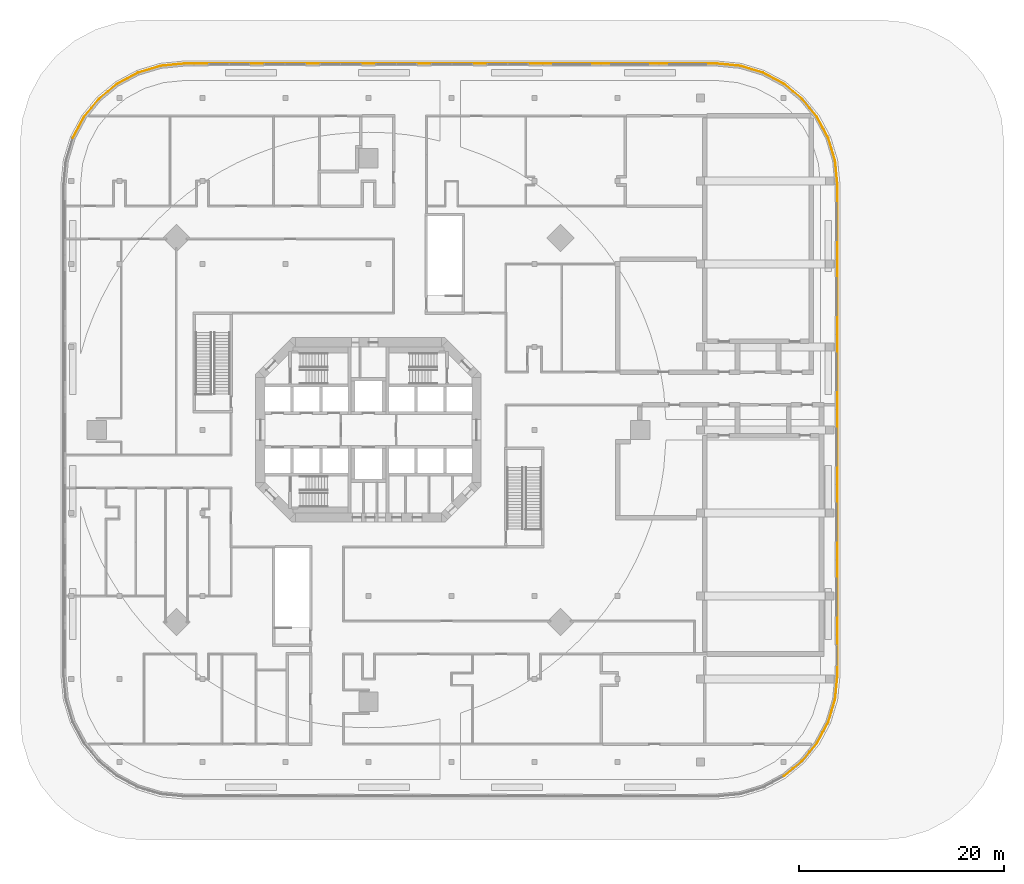
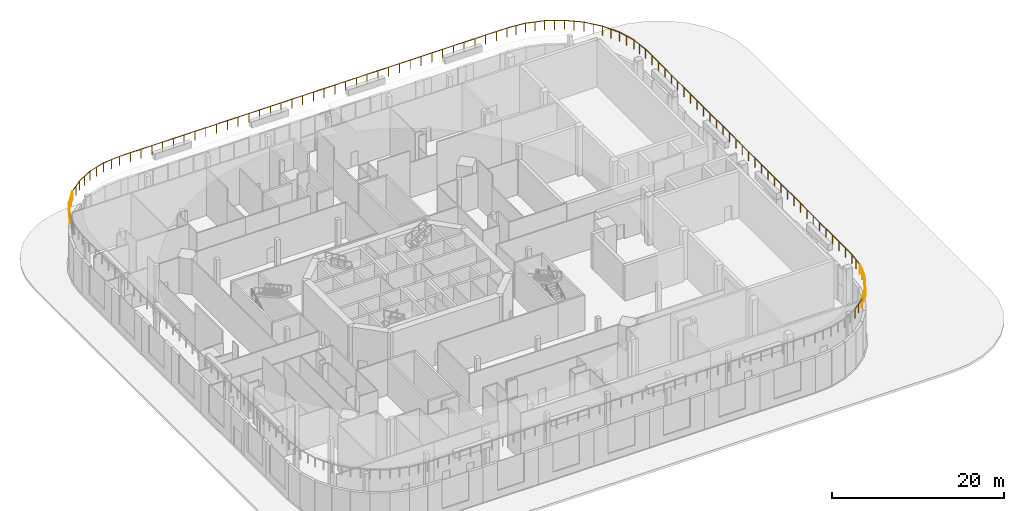
# One storey, part 17 of 17: 36 railings.
"""IFC4 building model written with IfcOpenShell, lengths in metres."""

from ifc_helpers import new_model, si_unit, direction, frame, origin, origin_2d, place, context, subcontext, project, spatial, rectangle, extrude, material, type_object, element, save


model = new_model("IFC4")

# Units and contexts
model_context = context("Model", 3, precision=1e-05, world=origin(), true_north=direction((0.0, 1.0)))
body_context = subcontext(model_context, "Body", "Model", "MODEL_VIEW")
ifc_project = project(units=[si_unit("LENGTHUNIT", "METRE"), si_unit("AREAUNIT", "SQUARE_METRE"), si_unit("VOLUMEUNIT", "CUBIC_METRE"), si_unit("PLANEANGLEUNIT", "RADIAN"), si_unit("MASSUNIT", "GRAM", prefix="KILO")], contexts=[model_context])

# Site, building, storey
site_placement = place(None, origin())
site = spatial("IfcSite", under=ifc_project, at=site_placement, CompositionType="ELEMENT")
building_placement = place(site_placement, origin())
building = spatial("IfcBuilding", under=site, at=building_placement, Name="Torre Triforio", CompositionType="ELEMENT")
storey_placement = place(building_placement, frame((0.0, 0.0, 13.0)))
storey = spatial("IfcBuildingStorey", under=building, at=storey_placement, Name="L02", CompositionType="ELEMENT", Elevation=13.0)

# Railings
ifc_material = material(Name="Stainless steel AISI 316", Category="steel")
railing_type = type_object("IfcRailingType", Name="Terrace balustrade 1300", PredefinedType="BALUSTRADE", material=ifc_material)
railing_1_placement = place(storey_placement, frame((40.52734375, -33.768798828125, 7.0)))
element("IfcRailing", 1, at=railing_1_placement, inside=storey, type_object=railing_type, Name="Terrace T3 balustrade 04", PredefinedType="BALUSTRADE", context=body_context, shape_type="SweptSolid", body=[
    extrude(rectangle(XDim=0.050048828125, YDim=0.050048828125, at=origin_2d()), frame((0.0, 0.0, 1.27490234375), z_axis=(0.772978729137, 0.634431938273, 0.0), x_axis=(-0.634431938273, 0.772978729137, 0.0)), (0.0, 0.0, 1.0), 2.30322265625),
    extrude(rectangle(XDim=0.0400390625, YDim=0.0400390625, at=origin_2d()), origin(), (0.0, 0.0, 1.0), 1.25),
    extrude(rectangle(XDim=0.0400390625, YDim=0.0400390625, at=origin_2d()), frame((0.89013671875, 0.73046875, 0.0)), (0.0, 0.0, 1.0), 1.25),
    extrude(rectangle(XDim=0.0400390625, YDim=0.0400390625, at=origin_2d()), frame((1.7802734375, 1.461181640625, 0.0)), (0.0, 0.0, 1.0), 1.25),
])
railing_2_placement = place(storey_placement, frame((42.3076171875, -32.3076171875, 7.0)))
element("IfcRailing", 2, at=railing_2_placement, inside=storey, type_object=railing_type, Name="Terrace T3 balustrade 05", PredefinedType="BALUSTRADE", context=body_context, shape_type="SweptSolid", body=[
    extrude(rectangle(XDim=0.050048828125, YDim=0.050048828125, at=origin_2d()), frame((0.0, 0.0, 1.27490234375), z_axis=(0.634431938273, 0.772978729137, 0.0), x_axis=(-0.772978729137, 0.634431938273, 0.0)), (0.0, 0.0, 1.0), 2.30322265625),
    extrude(rectangle(XDim=0.0400390625, YDim=0.0400390625, at=origin_2d()), origin(), (0.0, 0.0, 1.0), 1.25),
    extrude(rectangle(XDim=0.0400390625, YDim=0.0400390625, at=origin_2d()), frame((0.73046875, 0.89013671875, 0.0)), (0.0, 0.0, 1.0), 1.25),
    extrude(rectangle(XDim=0.0400390625, YDim=0.0400390625, at=origin_2d()), frame((1.461181640625, 1.7802734375, 0.0)), (0.0, 0.0, 1.0), 1.25),
])
railing_3_placement = place(storey_placement, frame((43.768798828125, -30.52734375, 7.0)))
element("IfcRailing", 3, at=railing_3_placement, inside=storey, type_object=railing_type, Name="Terrace T3 balustrade 06", PredefinedType="BALUSTRADE", context=body_context, shape_type="SweptSolid", body=[
    extrude(rectangle(XDim=0.050048828125, YDim=0.050048828125, at=origin_2d()), frame((0.0, 0.0, 1.27490234375), z_axis=(0.471385800251, 0.881927109982, 0.0), x_axis=(-0.881927109982, 0.471385800251, 0.0)), (0.0, 0.0, 1.0), 2.30322265625),
    extrude(rectangle(XDim=0.0400390625, YDim=0.0400390625, at=origin_2d()), origin(), (0.0, 0.0, 1.0), 1.25),
    extrude(rectangle(XDim=0.0400390625, YDim=0.0400390625, at=origin_2d()), frame((0.54296875, 1.015625, 0.0)), (0.0, 0.0, 1.0), 1.25),
    extrude(rectangle(XDim=0.0400390625, YDim=0.0400390625, at=origin_2d()), frame((1.085693359375, 2.03125, 0.0)), (0.0, 0.0, 1.0), 1.25),
])
railing_4_placement = place(storey_placement, frame((44.8544921875, -28.49609375, 7.0)))
element("IfcRailing", 4, at=railing_4_placement, inside=storey, type_object=railing_type, Name="Terrace T3 balustrade 07", PredefinedType="BALUSTRADE", context=body_context, shape_type="SweptSolid", body=[
    extrude(rectangle(XDim=0.050048828125, YDim=0.050048828125, at=origin_2d()), frame((0.0, 0.0, 1.27490234375), z_axis=(0.290225091232, 0.956958408929, 0.0), x_axis=(-0.956958408929, 0.290225091232, 0.0)), (0.0, 0.0, 1.0), 2.30322265625),
    extrude(rectangle(XDim=0.0400390625, YDim=0.0400390625, at=origin_2d()), origin(), (0.0, 0.0, 1.0), 1.25),
    extrude(rectangle(XDim=0.0400390625, YDim=0.0400390625, at=origin_2d()), frame((0.334228515625, 1.10205078125, 0.0)), (0.0, 0.0, 1.0), 1.25),
    extrude(rectangle(XDim=0.0400390625, YDim=0.0400390625, at=origin_2d()), frame((0.66845703125, 2.2041015625, 0.0)), (0.0, 0.0, 1.0), 1.25),
])
railing_5_placement = place(storey_placement, frame((45.52294921875, -26.2919921875, 7.0)))
element("IfcRailing", 5, at=railing_5_placement, inside=storey, type_object=railing_type, Name="Terrace T3 balustrade 08", PredefinedType="BALUSTRADE", context=body_context, shape_type="SweptSolid", body=[
    extrude(rectangle(XDim=0.050048828125, YDim=0.050048828125, at=origin_2d()), frame((0.0, 0.0, 1.27490234375), z_axis=(0.098062895086, 0.99518021916, 0.0), x_axis=(-0.99518021916, 0.098062895086, 0.0)), (0.0, 0.0, 1.0), 2.3154296875),
    extrude(rectangle(XDim=0.0400390625, YDim=0.0400390625, at=origin_2d()), origin(), (0.0, 0.0, 1.0), 1.25),
    extrude(rectangle(XDim=0.0400390625, YDim=0.0400390625, at=origin_2d()), frame((0.113525390625, 1.152099609375, 0.0)), (0.0, 0.0, 1.0), 1.25),
    extrude(rectangle(XDim=0.0400390625, YDim=0.0400390625, at=origin_2d()), frame((0.22705078125, 2.30419921875, 0.0)), (0.0, 0.0, 1.0), 1.25),
])
railing_6_placement = place(storey_placement, frame((45.75, -23.98779296875, 7.0)))
element("IfcRailing", 6, at=railing_6_placement, inside=storey, type_object=railing_type, Name="Terrace T3 balustrade 09.1", PredefinedType="BALUSTRADE", context=body_context, shape_type="SweptSolid", body=[
    extrude(rectangle(XDim=0.050048828125, YDim=0.050048828125, at=origin_2d()), frame((0.0, 0.0, 1.27490234375), z_axis=(0.0, 1.0, 0.0), x_axis=(-1.0, 0.0, 0.0)), (0.0, 0.0, 1.0), 5.9970703125),
    extrude(rectangle(XDim=0.0400390625, YDim=0.0400390625, at=origin_2d()), origin(), (0.0, 0.0, 1.0), 1.25),
    extrude(rectangle(XDim=0.0400390625, YDim=0.0400390625, at=origin_2d()), frame((0.0, 1.499267578125, 0.0)), (0.0, 0.0, 1.0), 1.25),
    extrude(rectangle(XDim=0.0400390625, YDim=0.0400390625, at=origin_2d()), frame((0.0, 2.99853515625, 0.0)), (0.0, 0.0, 1.0), 1.25),
    extrude(rectangle(XDim=0.0400390625, YDim=0.0400390625, at=origin_2d()), frame((0.0, 4.497802734375, 0.0)), (0.0, 0.0, 1.0), 1.25),
    extrude(rectangle(XDim=0.0400390625, YDim=0.0400390625, at=origin_2d()), frame((0.0, 5.9970703125, 0.0)), (0.0, 0.0, 1.0), 1.25),
])
railing_7_placement = place(storey_placement, frame((45.75, -17.99072265625, 7.0)))
element("IfcRailing", 7, at=railing_7_placement, inside=storey, type_object=railing_type, Name="Terrace T3 balustrade 09.2", PredefinedType="BALUSTRADE", context=body_context, shape_type="SweptSolid", body=[
    extrude(rectangle(XDim=0.050048828125, YDim=0.050048828125, at=origin_2d()), frame((0.0, 0.0, 1.27490234375), z_axis=(0.0, 1.0, 0.0), x_axis=(-1.0, 0.0, 0.0)), (0.0, 0.0, 1.0), 5.996826171875),
    extrude(rectangle(XDim=0.0400390625, YDim=0.0400390625, at=origin_2d()), origin(), (0.0, 0.0, 1.0), 1.25),
    extrude(rectangle(XDim=0.0400390625, YDim=0.0400390625, at=origin_2d()), frame((0.0, 1.499267578125, 0.0)), (0.0, 0.0, 1.0), 1.25),
    extrude(rectangle(XDim=0.0400390625, YDim=0.0400390625, at=origin_2d()), frame((0.0, 2.99853515625, 0.0)), (0.0, 0.0, 1.0), 1.25),
    extrude(rectangle(XDim=0.0400390625, YDim=0.0400390625, at=origin_2d()), frame((0.0, 4.49755859375, 0.0)), (0.0, 0.0, 1.0), 1.25),
    extrude(rectangle(XDim=0.0400390625, YDim=0.0400390625, at=origin_2d()), frame((0.0, 5.996826171875, 0.0)), (0.0, 0.0, 1.0), 1.25),
])
railing_8_placement = place(storey_placement, frame((45.75, -11.993896484375, 7.0)))
element("IfcRailing", 8, at=railing_8_placement, inside=storey, type_object=railing_type, Name="Terrace T3 balustrade 09.3", PredefinedType="BALUSTRADE", context=body_context, shape_type="SweptSolid", body=[
    extrude(rectangle(XDim=0.050048828125, YDim=0.050048828125, at=origin_2d()), frame((0.0, 0.0, 1.27490234375), z_axis=(0.0, 1.0, 0.0), x_axis=(-1.0, 0.0, 0.0)), (0.0, 0.0, 1.0), 5.9970703125),
    extrude(rectangle(XDim=0.0400390625, YDim=0.0400390625, at=origin_2d()), origin(), (0.0, 0.0, 1.0), 1.25),
    extrude(rectangle(XDim=0.0400390625, YDim=0.0400390625, at=origin_2d()), frame((0.0, 1.499267578125, 0.0)), (0.0, 0.0, 1.0), 1.25),
    extrude(rectangle(XDim=0.0400390625, YDim=0.0400390625, at=origin_2d()), frame((0.0, 2.99853515625, 0.0)), (0.0, 0.0, 1.0), 1.25),
    extrude(rectangle(XDim=0.0400390625, YDim=0.0400390625, at=origin_2d()), frame((0.0, 4.497802734375, 0.0)), (0.0, 0.0, 1.0), 1.25),
    extrude(rectangle(XDim=0.0400390625, YDim=0.0400390625, at=origin_2d()), frame((0.0, 5.9970703125, 0.0)), (0.0, 0.0, 1.0), 1.25),
])
for number, where, name in (
    (9, (45.75, -5.996826171875, 7.0), "Terrace T3 balustrade 09.4"),
    (10, (45.75, 0.0, 7.0), "Terrace T3 balustrade 09.5"),
):
    element("IfcRailing", number, at=place(storey_placement, frame(where)), inside=storey, type_object=railing_type, Name=name, PredefinedType="BALUSTRADE", context=body_context, shape_type="SweptSolid", body=[
        extrude(rectangle(XDim=0.050048828125, YDim=0.050048828125, at=origin_2d()), frame((0.0, 0.0, 1.27490234375), z_axis=(0.0, 1.0, 0.0), x_axis=(-1.0, 0.0, 0.0)), (0.0, 0.0, 1.0), 5.996826171875),
        extrude(rectangle(XDim=0.0400390625, YDim=0.0400390625, at=origin_2d()), origin(), (0.0, 0.0, 1.0), 1.25),
        extrude(rectangle(XDim=0.0400390625, YDim=0.0400390625, at=origin_2d()), frame((0.0, 1.499267578125, 0.0)), (0.0, 0.0, 1.0), 1.25),
        extrude(rectangle(XDim=0.0400390625, YDim=0.0400390625, at=origin_2d()), frame((0.0, 2.99853515625, 0.0)), (0.0, 0.0, 1.0), 1.25),
        extrude(rectangle(XDim=0.0400390625, YDim=0.0400390625, at=origin_2d()), frame((0.0, 4.49755859375, 0.0)), (0.0, 0.0, 1.0), 1.25),
        extrude(rectangle(XDim=0.0400390625, YDim=0.0400390625, at=origin_2d()), frame((0.0, 5.996826171875, 0.0)), (0.0, 0.0, 1.0), 1.25),
    ])
railing_9_placement = place(storey_placement, frame((45.75, 5.996826171875, 7.0)))
element("IfcRailing", 11, at=railing_9_placement, inside=storey, type_object=railing_type, Name="Terrace T3 balustrade 09.6", PredefinedType="BALUSTRADE", context=body_context, shape_type="SweptSolid", body=[
    extrude(rectangle(XDim=0.050048828125, YDim=0.050048828125, at=origin_2d()), frame((0.0, 0.0, 1.27490234375), z_axis=(0.0, 1.0, 0.0), x_axis=(-1.0, 0.0, 0.0)), (0.0, 0.0, 1.0), 5.9970703125),
    extrude(rectangle(XDim=0.0400390625, YDim=0.0400390625, at=origin_2d()), origin(), (0.0, 0.0, 1.0), 1.25),
    extrude(rectangle(XDim=0.0400390625, YDim=0.0400390625, at=origin_2d()), frame((0.0, 1.499267578125, 0.0)), (0.0, 0.0, 1.0), 1.25),
    extrude(rectangle(XDim=0.0400390625, YDim=0.0400390625, at=origin_2d()), frame((0.0, 2.99853515625, 0.0)), (0.0, 0.0, 1.0), 1.25),
    extrude(rectangle(XDim=0.0400390625, YDim=0.0400390625, at=origin_2d()), frame((0.0, 4.497802734375, 0.0)), (0.0, 0.0, 1.0), 1.25),
    extrude(rectangle(XDim=0.0400390625, YDim=0.0400390625, at=origin_2d()), frame((0.0, 5.9970703125, 0.0)), (0.0, 0.0, 1.0), 1.25),
])
railing_10_placement = place(storey_placement, frame((45.75, 11.993896484375, 7.0)))
element("IfcRailing", 12, at=railing_10_placement, inside=storey, type_object=railing_type, Name="Terrace T3 balustrade 09.7", PredefinedType="BALUSTRADE", context=body_context, shape_type="SweptSolid", body=[
    extrude(rectangle(XDim=0.050048828125, YDim=0.050048828125, at=origin_2d()), frame((0.0, 0.0, 1.27490234375), z_axis=(0.0, 1.0, 0.0), x_axis=(-1.0, 0.0, 0.0)), (0.0, 0.0, 1.0), 5.996826171875),
    extrude(rectangle(XDim=0.0400390625, YDim=0.0400390625, at=origin_2d()), origin(), (0.0, 0.0, 1.0), 1.25),
    extrude(rectangle(XDim=0.0400390625, YDim=0.0400390625, at=origin_2d()), frame((0.0, 1.499267578125, 0.0)), (0.0, 0.0, 1.0), 1.25),
    extrude(rectangle(XDim=0.0400390625, YDim=0.0400390625, at=origin_2d()), frame((0.0, 2.99853515625, 0.0)), (0.0, 0.0, 1.0), 1.25),
    extrude(rectangle(XDim=0.0400390625, YDim=0.0400390625, at=origin_2d()), frame((0.0, 4.49755859375, 0.0)), (0.0, 0.0, 1.0), 1.25),
    extrude(rectangle(XDim=0.0400390625, YDim=0.0400390625, at=origin_2d()), frame((0.0, 5.996826171875, 0.0)), (0.0, 0.0, 1.0), 1.25),
])
railing_11_placement = place(storey_placement, frame((45.75, 17.99072265625, 7.0)))
element("IfcRailing", 13, at=railing_11_placement, inside=storey, type_object=railing_type, Name="Terrace T3 balustrade 09.8", PredefinedType="BALUSTRADE", context=body_context, shape_type="SweptSolid", body=[
    extrude(rectangle(XDim=0.050048828125, YDim=0.050048828125, at=origin_2d()), frame((0.0, 0.0, 1.27490234375), z_axis=(0.0, 1.0, 0.0), x_axis=(-1.0, 0.0, 0.0)), (0.0, 0.0, 1.0), 5.9970703125),
    extrude(rectangle(XDim=0.0400390625, YDim=0.0400390625, at=origin_2d()), origin(), (0.0, 0.0, 1.0), 1.25),
    extrude(rectangle(XDim=0.0400390625, YDim=0.0400390625, at=origin_2d()), frame((0.0, 1.499267578125, 0.0)), (0.0, 0.0, 1.0), 1.25),
    extrude(rectangle(XDim=0.0400390625, YDim=0.0400390625, at=origin_2d()), frame((0.0, 2.99853515625, 0.0)), (0.0, 0.0, 1.0), 1.25),
    extrude(rectangle(XDim=0.0400390625, YDim=0.0400390625, at=origin_2d()), frame((0.0, 4.497802734375, 0.0)), (0.0, 0.0, 1.0), 1.25),
    extrude(rectangle(XDim=0.0400390625, YDim=0.0400390625, at=origin_2d()), frame((0.0, 5.9970703125, 0.0)), (0.0, 0.0, 1.0), 1.25),
])
railing_12_placement = place(storey_placement, frame((45.75, 23.98779296875, 7.0)))
element("IfcRailing", 14, at=railing_12_placement, inside=storey, type_object=railing_type, Name="Terrace T3 balustrade 10", PredefinedType="BALUSTRADE", context=body_context, shape_type="SweptSolid", body=[
    extrude(rectangle(XDim=0.050048828125, YDim=0.050048828125, at=origin_2d()), frame((0.0, 0.0, 1.27490234375), z_axis=(-0.098062895086, 0.99518021916, 0.0), x_axis=(-0.99518021916, -0.098062895086, 0.0)), (0.0, 0.0, 1.0), 2.3154296875),
    extrude(rectangle(XDim=0.0400390625, YDim=0.0400390625, at=origin_2d()), origin(), (0.0, 0.0, 1.0), 1.25),
    extrude(rectangle(XDim=0.0400390625, YDim=0.0400390625, at=origin_2d()), frame((-0.113525390625, 1.152099609375, 0.0)), (0.0, 0.0, 1.0), 1.25),
    extrude(rectangle(XDim=0.0400390625, YDim=0.0400390625, at=origin_2d()), frame((-0.22705078125, 2.30419921875, 0.0)), (0.0, 0.0, 1.0), 1.25),
])
railing_13_placement = place(storey_placement, frame((45.52294921875, 26.2919921875, 7.0)))
element("IfcRailing", 15, at=railing_13_placement, inside=storey, type_object=railing_type, Name="Terrace T3 balustrade 11", PredefinedType="BALUSTRADE", context=body_context, shape_type="SweptSolid", body=[
    extrude(rectangle(XDim=0.050048828125, YDim=0.050048828125, at=origin_2d()), frame((0.0, 0.0, 1.27490234375), z_axis=(-0.290225091232, 0.956958408929, 0.0), x_axis=(-0.956958408929, -0.290225091232, 0.0)), (0.0, 0.0, 1.0), 2.30322265625),
    extrude(rectangle(XDim=0.0400390625, YDim=0.0400390625, at=origin_2d()), origin(), (0.0, 0.0, 1.0), 1.25),
    extrude(rectangle(XDim=0.0400390625, YDim=0.0400390625, at=origin_2d()), frame((-0.334228515625, 1.10205078125, 0.0)), (0.0, 0.0, 1.0), 1.25),
    extrude(rectangle(XDim=0.0400390625, YDim=0.0400390625, at=origin_2d()), frame((-0.66845703125, 2.2041015625, 0.0)), (0.0, 0.0, 1.0), 1.25),
])
railing_14_placement = place(storey_placement, frame((44.8544921875, 28.49609375, 7.0)))
element("IfcRailing", 16, at=railing_14_placement, inside=storey, type_object=railing_type, Name="Terrace T3 balustrade 12", PredefinedType="BALUSTRADE", context=body_context, shape_type="SweptSolid", body=[
    extrude(rectangle(XDim=0.050048828125, YDim=0.050048828125, at=origin_2d()), frame((0.0, 0.0, 1.27490234375), z_axis=(-0.471385800251, 0.881927109982, 0.0), x_axis=(-0.881927109982, -0.471385800251, 0.0)), (0.0, 0.0, 1.0), 2.30322265625),
    extrude(rectangle(XDim=0.0400390625, YDim=0.0400390625, at=origin_2d()), origin(), (0.0, 0.0, 1.0), 1.25),
    extrude(rectangle(XDim=0.0400390625, YDim=0.0400390625, at=origin_2d()), frame((-0.54296875, 1.015625, 0.0)), (0.0, 0.0, 1.0), 1.25),
    extrude(rectangle(XDim=0.0400390625, YDim=0.0400390625, at=origin_2d()), frame((-1.085693359375, 2.03125, 0.0)), (0.0, 0.0, 1.0), 1.25),
])
railing_15_placement = place(storey_placement, frame((43.768798828125, 30.52734375, 7.0)))
element("IfcRailing", 17, at=railing_15_placement, inside=storey, type_object=railing_type, Name="Terrace T3 balustrade 13", PredefinedType="BALUSTRADE", context=body_context, shape_type="SweptSolid", body=[
    extrude(rectangle(XDim=0.050048828125, YDim=0.050048828125, at=origin_2d()), frame((0.0, 0.0, 1.27490234375), z_axis=(-0.634431938273, 0.772978729137, 0.0), x_axis=(-0.772978729137, -0.634431938273, 0.0)), (0.0, 0.0, 1.0), 2.30322265625),
    extrude(rectangle(XDim=0.0400390625, YDim=0.0400390625, at=origin_2d()), origin(), (0.0, 0.0, 1.0), 1.25),
    extrude(rectangle(XDim=0.0400390625, YDim=0.0400390625, at=origin_2d()), frame((-0.73046875, 0.89013671875, 0.0)), (0.0, 0.0, 1.0), 1.25),
    extrude(rectangle(XDim=0.0400390625, YDim=0.0400390625, at=origin_2d()), frame((-1.461181640625, 1.7802734375, 0.0)), (0.0, 0.0, 1.0), 1.25),
])
railing_16_placement = place(storey_placement, frame((42.3076171875, 32.3076171875, 7.0)))
element("IfcRailing", 18, at=railing_16_placement, inside=storey, type_object=railing_type, Name="Terrace T3 balustrade 14", PredefinedType="BALUSTRADE", context=body_context, shape_type="SweptSolid", body=[
    extrude(rectangle(XDim=0.050048828125, YDim=0.050048828125, at=origin_2d()), frame((0.0, 0.0, 1.27490234375), z_axis=(-0.772978729137, 0.634431938273, 0.0), x_axis=(-0.634431938273, -0.772978729137, 0.0)), (0.0, 0.0, 1.0), 2.30322265625),
    extrude(rectangle(XDim=0.0400390625, YDim=0.0400390625, at=origin_2d()), origin(), (0.0, 0.0, 1.0), 1.25),
    extrude(rectangle(XDim=0.0400390625, YDim=0.0400390625, at=origin_2d()), frame((-0.89013671875, 0.73046875, 0.0)), (0.0, 0.0, 1.0), 1.25),
    extrude(rectangle(XDim=0.0400390625, YDim=0.0400390625, at=origin_2d()), frame((-1.7802734375, 1.461181640625, 0.0)), (0.0, 0.0, 1.0), 1.25),
])
railing_17_placement = place(storey_placement, frame((40.52734375, 33.768798828125, 7.0)))
element("IfcRailing", 19, at=railing_17_placement, inside=storey, type_object=railing_type, Name="Terrace T3 balustrade 15", PredefinedType="BALUSTRADE", context=body_context, shape_type="SweptSolid", body=[
    extrude(rectangle(XDim=0.050048828125, YDim=0.050048828125, at=origin_2d()), frame((0.0, 0.0, 1.27490234375), z_axis=(-0.881927109982, 0.471385800251, 0.0), x_axis=(-0.471385800251, -0.881927109982, 0.0)), (0.0, 0.0, 1.0), 2.30322265625),
    extrude(rectangle(XDim=0.0400390625, YDim=0.0400390625, at=origin_2d()), origin(), (0.0, 0.0, 1.0), 1.25),
    extrude(rectangle(XDim=0.0400390625, YDim=0.0400390625, at=origin_2d()), frame((-1.015625, 0.54296875, 0.0)), (0.0, 0.0, 1.0), 1.25),
    extrude(rectangle(XDim=0.0400390625, YDim=0.0400390625, at=origin_2d()), frame((-2.03125, 1.085693359375, 0.0)), (0.0, 0.0, 1.0), 1.25),
])
railing_18_placement = place(storey_placement, frame((38.49609375, 34.8544921875, 7.0)))
element("IfcRailing", 20, at=railing_18_placement, inside=storey, type_object=railing_type, Name="Terrace T3 balustrade 16", PredefinedType="BALUSTRADE", context=body_context, shape_type="SweptSolid", body=[
    extrude(rectangle(XDim=0.050048828125, YDim=0.050048828125, at=origin_2d()), frame((0.0, 0.0, 1.27490234375), z_axis=(-0.956958408929, 0.290225091232, 0.0), x_axis=(-0.290225091232, -0.956958408929, 0.0)), (0.0, 0.0, 1.0), 2.30322265625),
    extrude(rectangle(XDim=0.0400390625, YDim=0.0400390625, at=origin_2d()), origin(), (0.0, 0.0, 1.0), 1.25),
    extrude(rectangle(XDim=0.0400390625, YDim=0.0400390625, at=origin_2d()), frame((-1.10205078125, 0.334228515625, 0.0)), (0.0, 0.0, 1.0), 1.25),
    extrude(rectangle(XDim=0.0400390625, YDim=0.0400390625, at=origin_2d()), frame((-2.2041015625, 0.66845703125, 0.0)), (0.0, 0.0, 1.0), 1.25),
])
railing_19_placement = place(storey_placement, frame((36.2919921875, 35.52294921875, 7.0)))
element("IfcRailing", 21, at=railing_19_placement, inside=storey, type_object=railing_type, Name="Terrace T3 balustrade 17", PredefinedType="BALUSTRADE", context=body_context, shape_type="SweptSolid", body=[
    extrude(rectangle(XDim=0.050048828125, YDim=0.050048828125, at=origin_2d()), frame((0.0, 0.0, 1.27490234375), z_axis=(-0.99518021916, 0.098062895086, 0.0), x_axis=(-0.098062895086, -0.99518021916, 0.0)), (0.0, 0.0, 1.0), 2.3154296875),
    extrude(rectangle(XDim=0.0400390625, YDim=0.0400390625, at=origin_2d()), origin(), (0.0, 0.0, 1.0), 1.25),
    extrude(rectangle(XDim=0.0400390625, YDim=0.0400390625, at=origin_2d()), frame((-1.152099609375, 0.113525390625, 0.0)), (0.0, 0.0, 1.0), 1.25),
    extrude(rectangle(XDim=0.0400390625, YDim=0.0400390625, at=origin_2d()), frame((-2.30419921875, 0.22705078125, 0.0)), (0.0, 0.0, 1.0), 1.25),
])
for number, where, name in (
    (22, (33.98779296875, 35.75, 7.0), "Terrace T3 balustrade 18.1"),
    (23, (28.212646484375, 35.75, 7.0), "Terrace T3 balustrade 18.2"),
):
    element("IfcRailing", number, at=place(storey_placement, frame(where)), inside=storey, type_object=railing_type, Name=name, PredefinedType="BALUSTRADE", context=body_context, shape_type="SweptSolid", body=[
        extrude(rectangle(XDim=0.050048828125, YDim=0.050048828125, at=origin_2d()), frame((0.0, 0.0, 1.27490234375), z_axis=(-1.0, 0.0, 0.0), x_axis=(0.0, -1.0, 0.0)), (0.0, 0.0, 1.0), 5.775146484375),
        extrude(rectangle(XDim=0.0400390625, YDim=0.0400390625, at=origin_2d()), origin(), (0.0, 0.0, 1.0), 1.25),
        extrude(rectangle(XDim=0.0400390625, YDim=0.0400390625, at=origin_2d()), frame((-1.44384765625, 0.0, 0.0)), (0.0, 0.0, 1.0), 1.25),
        extrude(rectangle(XDim=0.0400390625, YDim=0.0400390625, at=origin_2d()), frame((-2.8876953125, 0.0, 0.0)), (0.0, 0.0, 1.0), 1.25),
        extrude(rectangle(XDim=0.0400390625, YDim=0.0400390625, at=origin_2d()), frame((-4.331298828125, 0.0, 0.0)), (0.0, 0.0, 1.0), 1.25),
        extrude(rectangle(XDim=0.0400390625, YDim=0.0400390625, at=origin_2d()), frame((-5.775146484375, 0.0, 0.0)), (0.0, 0.0, 1.0), 1.25),
    ])
railing_20_placement = place(storey_placement, frame((22.4375, 35.75, 7.0)))
element("IfcRailing", 24, at=railing_20_placement, inside=storey, type_object=railing_type, Name="Terrace T3 balustrade 18.3", PredefinedType="BALUSTRADE", context=body_context, shape_type="SweptSolid", body=[
    extrude(rectangle(XDim=0.050048828125, YDim=0.050048828125, at=origin_2d()), frame((0.0, 0.0, 1.27490234375), z_axis=(-1.0, 0.0, 0.0), x_axis=(0.0, -1.0, 0.0)), (0.0, 0.0, 1.0), 5.77490234375),
    extrude(rectangle(XDim=0.0400390625, YDim=0.0400390625, at=origin_2d()), origin(), (0.0, 0.0, 1.0), 1.25),
    extrude(rectangle(XDim=0.0400390625, YDim=0.0400390625, at=origin_2d()), frame((-1.44384765625, 0.0, 0.0)), (0.0, 0.0, 1.0), 1.25),
    extrude(rectangle(XDim=0.0400390625, YDim=0.0400390625, at=origin_2d()), frame((-2.887451171875, 0.0, 0.0)), (0.0, 0.0, 1.0), 1.25),
    extrude(rectangle(XDim=0.0400390625, YDim=0.0400390625, at=origin_2d()), frame((-4.3310546875, 0.0, 0.0)), (0.0, 0.0, 1.0), 1.25),
    extrude(rectangle(XDim=0.0400390625, YDim=0.0400390625, at=origin_2d()), frame((-5.77490234375, 0.0, 0.0)), (0.0, 0.0, 1.0), 1.25),
])
railing_21_placement = place(storey_placement, frame((16.66259765625, 35.75, 7.0)))
element("IfcRailing", 25, at=railing_21_placement, inside=storey, type_object=railing_type, Name="Terrace T3 balustrade 18.4", PredefinedType="BALUSTRADE", context=body_context, shape_type="SweptSolid", body=[
    extrude(rectangle(XDim=0.050048828125, YDim=0.050048828125, at=origin_2d()), frame((0.0, 0.0, 1.27490234375), z_axis=(-1.0, 0.0, 0.0), x_axis=(0.0, -1.0, 0.0)), (0.0, 0.0, 1.0), 5.775146484375),
    extrude(rectangle(XDim=0.0400390625, YDim=0.0400390625, at=origin_2d()), origin(), (0.0, 0.0, 1.0), 1.25),
    extrude(rectangle(XDim=0.0400390625, YDim=0.0400390625, at=origin_2d()), frame((-1.44384765625, 0.0, 0.0)), (0.0, 0.0, 1.0), 1.25),
    extrude(rectangle(XDim=0.0400390625, YDim=0.0400390625, at=origin_2d()), frame((-2.8876953125, 0.0, 0.0)), (0.0, 0.0, 1.0), 1.25),
    extrude(rectangle(XDim=0.0400390625, YDim=0.0400390625, at=origin_2d()), frame((-4.331298828125, 0.0, 0.0)), (0.0, 0.0, 1.0), 1.25),
    extrude(rectangle(XDim=0.0400390625, YDim=0.0400390625, at=origin_2d()), frame((-5.775146484375, 0.0, 0.0)), (0.0, 0.0, 1.0), 1.25),
])
railing_22_placement = place(storey_placement, frame((10.887451171875, 35.75, 7.0)))
element("IfcRailing", 26, at=railing_22_placement, inside=storey, type_object=railing_type, Name="Terrace T3 balustrade 18.5", PredefinedType="BALUSTRADE", context=body_context, shape_type="SweptSolid", body=[
    extrude(rectangle(XDim=0.050048828125, YDim=0.050048828125, at=origin_2d()), frame((0.0, 0.0, 1.27490234375), z_axis=(-1.0, 0.0, 0.0), x_axis=(0.0, -1.0, 0.0)), (0.0, 0.0, 1.0), 5.77490234375),
    extrude(rectangle(XDim=0.0400390625, YDim=0.0400390625, at=origin_2d()), origin(), (0.0, 0.0, 1.0), 1.25),
    extrude(rectangle(XDim=0.0400390625, YDim=0.0400390625, at=origin_2d()), frame((-1.44384765625, 0.0, 0.0)), (0.0, 0.0, 1.0), 1.25),
    extrude(rectangle(XDim=0.0400390625, YDim=0.0400390625, at=origin_2d()), frame((-2.887451171875, 0.0, 0.0)), (0.0, 0.0, 1.0), 1.25),
    extrude(rectangle(XDim=0.0400390625, YDim=0.0400390625, at=origin_2d()), frame((-4.3310546875, 0.0, 0.0)), (0.0, 0.0, 1.0), 1.25),
    extrude(rectangle(XDim=0.0400390625, YDim=0.0400390625, at=origin_2d()), frame((-5.77490234375, 0.0, 0.0)), (0.0, 0.0, 1.0), 1.25),
])
railing_23_placement = place(storey_placement, frame((5.112548828125, 35.75, 7.0)))
element("IfcRailing", 27, at=railing_23_placement, inside=storey, type_object=railing_type, Name="Terrace T3 balustrade 18.6", PredefinedType="BALUSTRADE", context=body_context, shape_type="SweptSolid", body=[
    extrude(rectangle(XDim=0.050048828125, YDim=0.050048828125, at=origin_2d()), frame((0.0, 0.0, 1.27490234375), z_axis=(-1.0, 0.0, 0.0), x_axis=(0.0, -1.0, 0.0)), (0.0, 0.0, 1.0), 5.775146484375),
    extrude(rectangle(XDim=0.0400390625, YDim=0.0400390625, at=origin_2d()), origin(), (0.0, 0.0, 1.0), 1.25),
    extrude(rectangle(XDim=0.0400390625, YDim=0.0400390625, at=origin_2d()), frame((-1.44384765625, 0.0, 0.0)), (0.0, 0.0, 1.0), 1.25),
    extrude(rectangle(XDim=0.0400390625, YDim=0.0400390625, at=origin_2d()), frame((-2.8876953125, 0.0, 0.0)), (0.0, 0.0, 1.0), 1.25),
    extrude(rectangle(XDim=0.0400390625, YDim=0.0400390625, at=origin_2d()), frame((-4.331298828125, 0.0, 0.0)), (0.0, 0.0, 1.0), 1.25),
    extrude(rectangle(XDim=0.0400390625, YDim=0.0400390625, at=origin_2d()), frame((-5.775146484375, 0.0, 0.0)), (0.0, 0.0, 1.0), 1.25),
])
railing_24_placement = place(storey_placement, frame((-0.66259765625, 35.75, 7.0)))
element("IfcRailing", 28, at=railing_24_placement, inside=storey, type_object=railing_type, Name="Terrace T3 balustrade 18.7", PredefinedType="BALUSTRADE", context=body_context, shape_type="SweptSolid", body=[
    extrude(rectangle(XDim=0.050048828125, YDim=0.050048828125, at=origin_2d()), frame((0.0, 0.0, 1.27490234375), z_axis=(-1.0, 0.0, 0.0), x_axis=(0.0, -1.0, 0.0)), (0.0, 0.0, 1.0), 5.77490234375),
    extrude(rectangle(XDim=0.0400390625, YDim=0.0400390625, at=origin_2d()), origin(), (0.0, 0.0, 1.0), 1.25),
    extrude(rectangle(XDim=0.0400390625, YDim=0.0400390625, at=origin_2d()), frame((-1.44384765625, 0.0, 0.0)), (0.0, 0.0, 1.0), 1.25),
    extrude(rectangle(XDim=0.0400390625, YDim=0.0400390625, at=origin_2d()), frame((-2.887451171875, 0.0, 0.0)), (0.0, 0.0, 1.0), 1.25),
    extrude(rectangle(XDim=0.0400390625, YDim=0.0400390625, at=origin_2d()), frame((-4.3310546875, 0.0, 0.0)), (0.0, 0.0, 1.0), 1.25),
    extrude(rectangle(XDim=0.0400390625, YDim=0.0400390625, at=origin_2d()), frame((-5.77490234375, 0.0, 0.0)), (0.0, 0.0, 1.0), 1.25),
])
for number, where, name in (
    (29, (-6.4375, 35.75, 7.0), "Terrace T3 balustrade 18.8"),
    (30, (-12.212646484375, 35.75, 7.0), "Terrace T3 balustrade 18.9"),
):
    element("IfcRailing", number, at=place(storey_placement, frame(where)), inside=storey, type_object=railing_type, Name=name, PredefinedType="BALUSTRADE", context=body_context, shape_type="SweptSolid", body=[
        extrude(rectangle(XDim=0.050048828125, YDim=0.050048828125, at=origin_2d()), frame((0.0, 0.0, 1.27490234375), z_axis=(-1.0, 0.0, 0.0), x_axis=(0.0, -1.0, 0.0)), (0.0, 0.0, 1.0), 5.775146484375),
        extrude(rectangle(XDim=0.0400390625, YDim=0.0400390625, at=origin_2d()), origin(), (0.0, 0.0, 1.0), 1.25),
        extrude(rectangle(XDim=0.0400390625, YDim=0.0400390625, at=origin_2d()), frame((-1.44384765625, 0.0, 0.0)), (0.0, 0.0, 1.0), 1.25),
        extrude(rectangle(XDim=0.0400390625, YDim=0.0400390625, at=origin_2d()), frame((-2.8876953125, 0.0, 0.0)), (0.0, 0.0, 1.0), 1.25),
        extrude(rectangle(XDim=0.0400390625, YDim=0.0400390625, at=origin_2d()), frame((-4.331298828125, 0.0, 0.0)), (0.0, 0.0, 1.0), 1.25),
        extrude(rectangle(XDim=0.0400390625, YDim=0.0400390625, at=origin_2d()), frame((-5.775146484375, 0.0, 0.0)), (0.0, 0.0, 1.0), 1.25),
    ])
railing_25_placement = place(storey_placement, frame((-17.98779296875, 35.75, 7.0)))
element("IfcRailing", 31, at=railing_25_placement, inside=storey, type_object=railing_type, Name="Terrace T3 balustrade 19", PredefinedType="BALUSTRADE", context=body_context, shape_type="SweptSolid", body=[
    extrude(rectangle(XDim=0.050048828125, YDim=0.050048828125, at=origin_2d()), frame((0.0, 0.0, 1.27490234375), z_axis=(-0.99518021916, -0.098062895086, 0.0), x_axis=(0.098062895086, -0.99518021916, 0.0)), (0.0, 0.0, 1.0), 2.3154296875),
    extrude(rectangle(XDim=0.0400390625, YDim=0.0400390625, at=origin_2d()), origin(), (0.0, 0.0, 1.0), 1.25),
    extrude(rectangle(XDim=0.0400390625, YDim=0.0400390625, at=origin_2d()), frame((-1.152099609375, -0.113525390625, 0.0)), (0.0, 0.0, 1.0), 1.25),
    extrude(rectangle(XDim=0.0400390625, YDim=0.0400390625, at=origin_2d()), frame((-2.30419921875, -0.22705078125, 0.0)), (0.0, 0.0, 1.0), 1.25),
])
railing_26_placement = place(storey_placement, frame((-20.2919921875, 35.52294921875, 7.0)))
element("IfcRailing", 32, at=railing_26_placement, inside=storey, type_object=railing_type, Name="Terrace T3 balustrade 20", PredefinedType="BALUSTRADE", context=body_context, shape_type="SweptSolid", body=[
    extrude(rectangle(XDim=0.050048828125, YDim=0.050048828125, at=origin_2d()), frame((0.0, 0.0, 1.27490234375), z_axis=(-0.956958408929, -0.290225091232, 0.0), x_axis=(0.290225091232, -0.956958408929, 0.0)), (0.0, 0.0, 1.0), 2.30322265625),
    extrude(rectangle(XDim=0.0400390625, YDim=0.0400390625, at=origin_2d()), origin(), (0.0, 0.0, 1.0), 1.25),
    extrude(rectangle(XDim=0.0400390625, YDim=0.0400390625, at=origin_2d()), frame((-1.10205078125, -0.334228515625, 0.0)), (0.0, 0.0, 1.0), 1.25),
    extrude(rectangle(XDim=0.0400390625, YDim=0.0400390625, at=origin_2d()), frame((-2.2041015625, -0.66845703125, 0.0)), (0.0, 0.0, 1.0), 1.25),
])
railing_27_placement = place(storey_placement, frame((-22.49609375, 34.8544921875, 7.0)))
element("IfcRailing", 33, at=railing_27_placement, inside=storey, type_object=railing_type, Name="Terrace T3 balustrade 21", PredefinedType="BALUSTRADE", context=body_context, shape_type="SweptSolid", body=[
    extrude(rectangle(XDim=0.050048828125, YDim=0.050048828125, at=origin_2d()), frame((0.0, 0.0, 1.27490234375), z_axis=(-0.881927109982, -0.471385800251, 0.0), x_axis=(0.471385800251, -0.881927109982, 0.0)), (0.0, 0.0, 1.0), 2.30322265625),
    extrude(rectangle(XDim=0.0400390625, YDim=0.0400390625, at=origin_2d()), origin(), (0.0, 0.0, 1.0), 1.25),
    extrude(rectangle(XDim=0.0400390625, YDim=0.0400390625, at=origin_2d()), frame((-1.015625, -0.54296875, 0.0)), (0.0, 0.0, 1.0), 1.25),
    extrude(rectangle(XDim=0.0400390625, YDim=0.0400390625, at=origin_2d()), frame((-2.03125, -1.085693359375, 0.0)), (0.0, 0.0, 1.0), 1.25),
])
railing_28_placement = place(storey_placement, frame((-24.52734375, 33.768798828125, 7.0)))
element("IfcRailing", 34, at=railing_28_placement, inside=storey, type_object=railing_type, Name="Terrace T3 balustrade 22", PredefinedType="BALUSTRADE", context=body_context, shape_type="SweptSolid", body=[
    extrude(rectangle(XDim=0.050048828125, YDim=0.050048828125, at=origin_2d()), frame((0.0, 0.0, 1.27490234375), z_axis=(-0.772978729137, -0.634431938273, 0.0), x_axis=(0.634431938273, -0.772978729137, 0.0)), (0.0, 0.0, 1.0), 2.30322265625),
    extrude(rectangle(XDim=0.0400390625, YDim=0.0400390625, at=origin_2d()), origin(), (0.0, 0.0, 1.0), 1.25),
    extrude(rectangle(XDim=0.0400390625, YDim=0.0400390625, at=origin_2d()), frame((-0.89013671875, -0.73046875, 0.0)), (0.0, 0.0, 1.0), 1.25),
    extrude(rectangle(XDim=0.0400390625, YDim=0.0400390625, at=origin_2d()), frame((-1.7802734375, -1.461181640625, 0.0)), (0.0, 0.0, 1.0), 1.25),
])
railing_29_placement = place(storey_placement, frame((-26.3076171875, 32.3076171875, 7.0)))
element("IfcRailing", 35, at=railing_29_placement, inside=storey, type_object=railing_type, Name="Terrace T3 balustrade 23", PredefinedType="BALUSTRADE", context=body_context, shape_type="SweptSolid", body=[
    extrude(rectangle(XDim=0.050048828125, YDim=0.050048828125, at=origin_2d()), frame((0.0, 0.0, 1.27490234375), z_axis=(-0.634431938273, -0.772978729137, 0.0), x_axis=(0.772978729137, -0.634431938273, 0.0)), (0.0, 0.0, 1.0), 2.30322265625),
    extrude(rectangle(XDim=0.0400390625, YDim=0.0400390625, at=origin_2d()), origin(), (0.0, 0.0, 1.0), 1.25),
    extrude(rectangle(XDim=0.0400390625, YDim=0.0400390625, at=origin_2d()), frame((-0.73046875, -0.89013671875, 0.0)), (0.0, 0.0, 1.0), 1.25),
    extrude(rectangle(XDim=0.0400390625, YDim=0.0400390625, at=origin_2d()), frame((-1.461181640625, -1.7802734375, 0.0)), (0.0, 0.0, 1.0), 1.25),
])
railing_30_placement = place(storey_placement, frame((-27.768798828125, 30.52734375, 7.0)))
element("IfcRailing", 36, at=railing_30_placement, inside=storey, type_object=railing_type, Name="Terrace T3 balustrade 24", PredefinedType="BALUSTRADE", context=body_context, shape_type="SweptSolid", body=[
    extrude(rectangle(XDim=0.050048828125, YDim=0.050048828125, at=origin_2d()), frame((0.0, 0.0, 1.27490234375), z_axis=(-0.471385800251, -0.881927109982, 0.0), x_axis=(0.881927109982, -0.471385800251, 0.0)), (0.0, 0.0, 1.0), 2.30322265625),
    extrude(rectangle(XDim=0.0400390625, YDim=0.0400390625, at=origin_2d()), origin(), (0.0, 0.0, 1.0), 1.25),
    extrude(rectangle(XDim=0.0400390625, YDim=0.0400390625, at=origin_2d()), frame((-0.54296875, -1.015625, 0.0)), (0.0, 0.0, 1.0), 1.25),
    extrude(rectangle(XDim=0.0400390625, YDim=0.0400390625, at=origin_2d()), frame((-1.085693359375, -2.03125, 0.0)), (0.0, 0.0, 1.0), 1.25),
])

save(model, "model.ifc")
